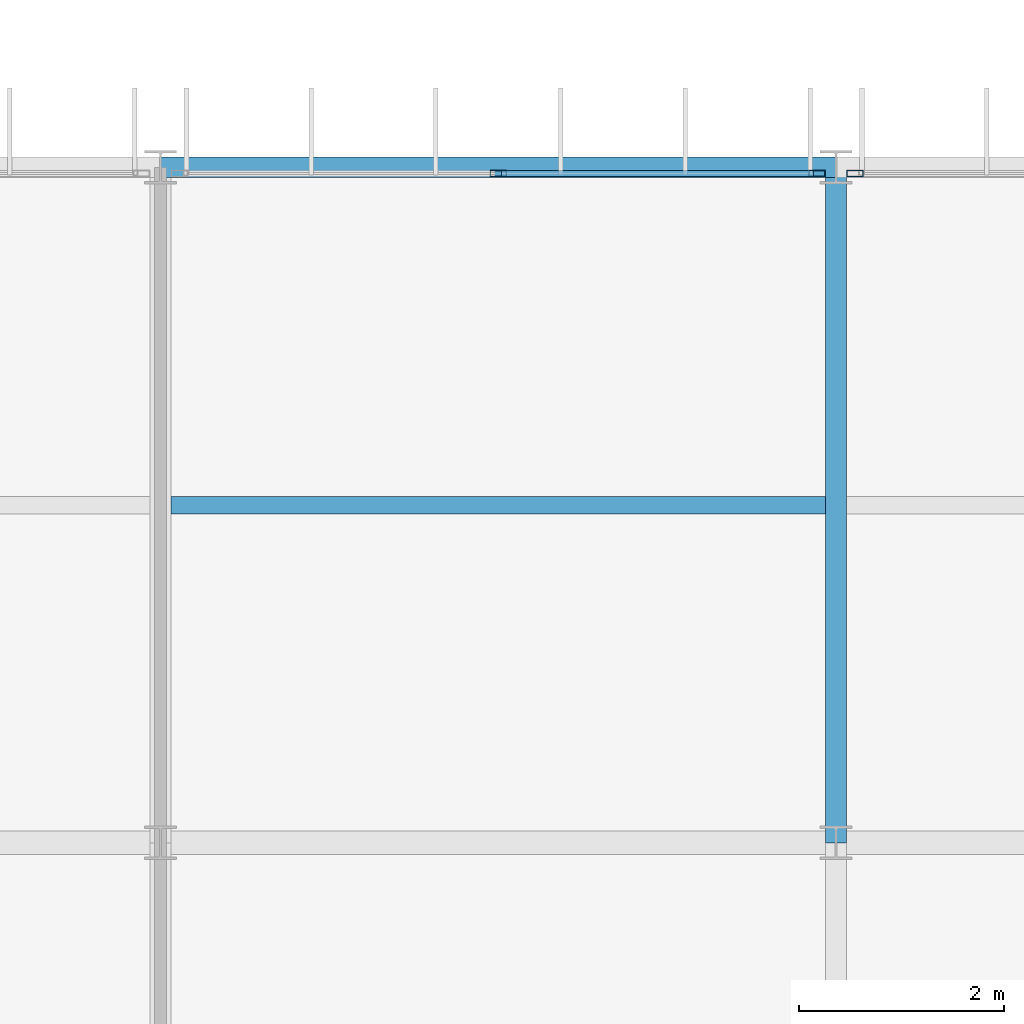
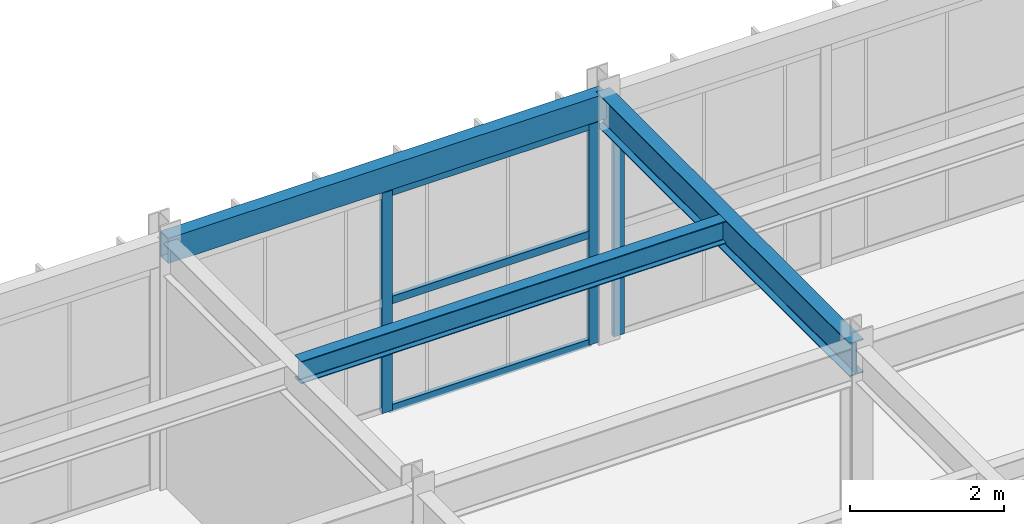
# One storey, part 52 of 130: 6 members, 3 beams, 2 elements without a shape of their own.
"""IFC4 building model written with IfcOpenShell, lengths in metres."""

from ifc_helpers import new_model, si_unit, direction, frame, origin, origin_2d, place, context, subcontext, project, spatial, hollow_rectangle, i_section, extrude, material, material_profile, profile_set, type_object, element, aggregate, save


model = new_model("IFC4")

# Units and contexts
model_context = context("Model", 3, precision=1e-05, world=origin(), true_north=direction((0.0, 1.0)))
body_context = subcontext(model_context, "Body", "Model", "MODEL_VIEW")
ifc_project = project(units=[si_unit("LENGTHUNIT", "METRE"), si_unit("AREAUNIT", "SQUARE_METRE"), si_unit("VOLUMEUNIT", "CUBIC_METRE"), si_unit("PLANEANGLEUNIT", "RADIAN"), si_unit("MASSUNIT", "GRAM", prefix="KILO")], contexts=[model_context])

# Site, building, storey
site_placement = place(None, origin())
site = spatial("IfcSite", under=ifc_project, at=site_placement, CompositionType="ELEMENT")
building_placement = place(site_placement, origin())
building = spatial("IfcBuilding", under=site, at=building_placement, Name="Karori Crest Natural Sciences Institute", CompositionType="ELEMENT")
storey_placement = place(building_placement, frame((0.0, 0.0, 17.5)))
storey = spatial("IfcBuildingStorey", under=building, at=storey_placement, Name="L04", CompositionType="ELEMENT", Elevation=17.5)

# Beams
ifc_material_1 = material(Name="Structural steel AS/NZS 3679.1 Grade 350", Category="steel")
ifc_material_profile_1 = material_profile(ifc_material_1, i_section(OverallWidth=0.208984375, OverallDepth=0.532958984375, WebThickness=0.01025390625, FlangeThickness=0.015625, FilletRadius=0.013916015625, at=origin_2d()), Name="530UB92.4")
ifc_profile_set_1 = profile_set([ifc_material_profile_1], Name="Structural steel AS/NZS 3679.1 Grade 350")
beam_type_1 = type_object("IfcBeamType", Name="BT-05", PredefinedType="BEAM", material=ifc_profile_set_1)
beam_1_placement = place(storey_placement, frame((116.800048828125, 14.0, 3.653564453125), z_axis=(0.0, 1.0, 0.0), x_axis=(-1.0, 0.0, 0.0)))
element("IfcBeam", 1, at=beam_1_placement, inside=storey, type_object=beam_type_1, Name="Beam B-2409", PredefinedType="BEAM", context=body_context, shape_type="SweptSolid", body=[
    extrude(i_section(OverallWidth=0.208984375, OverallDepth=0.532958984375, WebThickness=0.01025390625, FlangeThickness=0.015625, FilletRadius=0.013916015625, at=origin_2d()), origin(), (0.0, 0.0, 1.0), 6.60009765625),
])
ifc_material_profile_2 = material_profile(ifc_material_1, i_section(OverallWidth=0.172119140625, OverallDepth=0.35888671875, WebThickness=0.008056640625, FlangeThickness=0.012939453125, FilletRadius=0.010986328125, at=origin_2d()), Name="360UB56.7")
ifc_profile_set_2 = profile_set([ifc_material_profile_2], Name="Structural steel AS/NZS 3679.1 Grade 350")
beam_type_2 = type_object("IfcBeamType", Name="BT-08", PredefinedType="BEAM", material=ifc_profile_set_2)
beam_2_placement = place(storey_placement, frame((110.304443359375, 17.300048828125, 3.740478515625), z_axis=(1.0, 0.0, 0.0), x_axis=(0.0, 1.0, 0.0)))
element("IfcBeam", 2, at=beam_2_placement, inside=storey, type_object=beam_type_2, Name="Beam B-2434", PredefinedType="BEAM", context=body_context, shape_type="SweptSolid", body=[
    extrude(i_section(OverallWidth=0.172119140625, OverallDepth=0.35888671875, WebThickness=0.008056640625, FlangeThickness=0.012939453125, FilletRadius=0.010986328125, at=origin_2d()), origin(), (0.0, 0.0, 1.0), 6.39111328125),
])
ifc_material_2 = material(Name="Hollow structural steel AS/NZS 1163 Grade C350", Category="steel")
ifc_material_profile_3 = material_profile(ifc_material_2, hollow_rectangle(XDim=0.199951171875, YDim=0.39990234375, WallThickness=0.012451171875, at=origin_2d()), Name="RHS400x200x12.5")
ifc_profile_set_3 = profile_set([ifc_material_profile_3], Name="Hollow structural steel AS/NZS 1163 Grade C350")
beam_type_3 = type_object("IfcBeamType", Name="BT-14", PredefinedType="SPANDREL", material=ifc_profile_set_3)
beam_3_placement = place(storey_placement, frame((110.199951171875, 20.60009765625, 3.719970703125), z_axis=(1.0, 0.0, 0.0), x_axis=(0.0, 1.0, 0.0)))
element("IfcBeam", 3, at=beam_3_placement, inside=storey, type_object=beam_type_3, Name="Beam B-2393", PredefinedType="SPANDREL", context=body_context, shape_type="SweptSolid", body=[
    extrude(hollow_rectangle(XDim=0.199951171875, YDim=0.39990234375, WallThickness=0.012451171875, at=origin_2d()), origin(), (0.0, 0.0, 1.0), 6.60009765625),
])

# Curtain wall, members
ifc_material_3 = material(Name="Anodised architectural aluminium 6063-T6", Category="aluminium")
curtain_wall_type = type_object("IfcCurtainWallType", Name="CWT-20", PredefinedType="NOTDEFINED", material=ifc_material_3)
curtain_wall_1_placement = place(storey_placement, origin())
curtain_wall_1 = element("IfcCurtainWall", 4, at=curtain_wall_1_placement, inside=storey, type_object=curtain_wall_type, Name="Curtain wall CW-0332", PredefinedType="NOTDEFINED")
ifc_material_profile_4 = material_profile(ifc_material_3, hollow_rectangle(XDim=0.06494140625, YDim=0.159912109375, WallThickness=0.00390625, at=origin_2d()), Name="CWM160x65x4")
ifc_profile_set_4 = profile_set([ifc_material_profile_4], Name="Anodised architectural aluminium 6063-T6")
member_type_1 = type_object("IfcMemberType", Name="CWM-01", PredefinedType="MULLION", material=ifc_profile_set_4)
member_1_placement = place(storey_placement, frame((113.5, 20.5400390625, 0.0), z_axis=(0.0, 0.0, 1.0), x_axis=(0.0, 1.0, 0.0)))
member_1 = element("IfcMember", 5, at=member_1_placement, type_object=member_type_1, Name="CW-0332 mullion 2", PredefinedType="MULLION", context=body_context, shape_type="SweptSolid", body=[
    extrude(hollow_rectangle(XDim=0.06494140625, YDim=0.159912109375, WallThickness=0.00390625, at=origin_2d()), origin(), (0.0, 0.0, 1.0), 3.5048828125),
])
member_2_placement = place(storey_placement, frame((116.614013671875, 20.5400390625, 0.0), z_axis=(0.0, 0.0, 1.0), x_axis=(0.0, 1.0, 0.0)))
member_2 = element("IfcMember", 6, at=member_2_placement, type_object=member_type_1, Name="CW-0332 mullion 3", PredefinedType="MULLION", context=body_context, shape_type="SweptSolid", body=[
    extrude(hollow_rectangle(XDim=0.06494140625, YDim=0.159912109375, WallThickness=0.00390625, at=origin_2d()), origin(), (0.0, 0.0, 1.0), 3.5048828125),
])

# Curtain wall, member
curtain_wall_2_placement = place(storey_placement, origin())
curtain_wall_2 = element("IfcCurtainWall", 7, at=curtain_wall_2_placement, inside=storey, type_object=curtain_wall_type, Name="Curtain wall CW-0333", PredefinedType="NOTDEFINED")
member_3_placement = place(storey_placement, frame((116.986083984375, 20.5400390625, 0.0), z_axis=(0.0, 0.0, 1.0), x_axis=(0.0, 1.0, 0.0)))
member_3 = element("IfcMember", 8, at=member_3_placement, type_object=member_type_1, Name="CW-0333 mullion 1", PredefinedType="MULLION", context=body_context, shape_type="SweptSolid", body=[
    extrude(hollow_rectangle(XDim=0.06494140625, YDim=0.159912109375, WallThickness=0.00390625, at=origin_2d()), origin(), (0.0, 0.0, 1.0), 3.5048828125),
])
aggregate(curtain_wall_2, [member_3])

# Member
ifc_material_profile_5 = material_profile(ifc_material_3, hollow_rectangle(XDim=0.06005859375, YDim=0.1201171875, WallThickness=0.00390625, at=origin_2d()), Name="CWT120x60x4")
ifc_profile_set_5 = profile_set([ifc_material_profile_5], Name="Anodised architectural aluminium 6063-T6")
member_type_2 = type_object("IfcMemberType", Name="CWT-TR1", PredefinedType="USERDEFINED", material=ifc_profile_set_5)
member_4_placement = place(storey_placement, frame((113.532470703125, 20.5400390625, 0.030029296875), z_axis=(1.0, 0.0, 0.0), x_axis=(0.0, 1.0, 0.0)))
member_4 = element("IfcMember", 9, at=member_4_placement, type_object=member_type_2, Name="CW-0332 transom 2.1", ObjectType="TRANSOM", PredefinedType="USERDEFINED", context=body_context, shape_type="SweptSolid", body=[
    extrude(hollow_rectangle(XDim=0.06005859375, YDim=0.1201171875, WallThickness=0.00390625, at=origin_2d()), origin(), (0.0, 0.0, 1.0), 3.049072265625),
])

member_5_placement = place(storey_placement, frame((113.532470703125, 20.5400390625, 1.75244140625), z_axis=(1.0, 0.0, 0.0), x_axis=(0.0, 1.0, 0.0)))
member_5 = element("IfcMember", 10, at=member_5_placement, type_object=member_type_2, Name="CW-0332 transom 2.2", ObjectType="TRANSOM", PredefinedType="USERDEFINED", context=body_context, shape_type="SweptSolid", body=[
    extrude(hollow_rectangle(XDim=0.06005859375, YDim=0.1201171875, WallThickness=0.00390625, at=origin_2d()), origin(), (0.0, 0.0, 1.0), 3.049072265625),
])

member_6_placement = place(storey_placement, frame((113.532470703125, 20.5400390625, 3.47509765625), z_axis=(1.0, 0.0, 0.0), x_axis=(0.0, 1.0, 0.0)))
member_6 = element("IfcMember", 11, at=member_6_placement, type_object=member_type_2, Name="CW-0332 transom 2.3", ObjectType="TRANSOM", PredefinedType="USERDEFINED", context=body_context, shape_type="SweptSolid", body=[
    extrude(hollow_rectangle(XDim=0.06005859375, YDim=0.1201171875, WallThickness=0.00390625, at=origin_2d()), origin(), (0.0, 0.0, 1.0), 3.049072265625),
])

aggregate(curtain_wall_1, [member_1, member_2, member_4, member_5, member_6])

save(model, "model.ifc")
